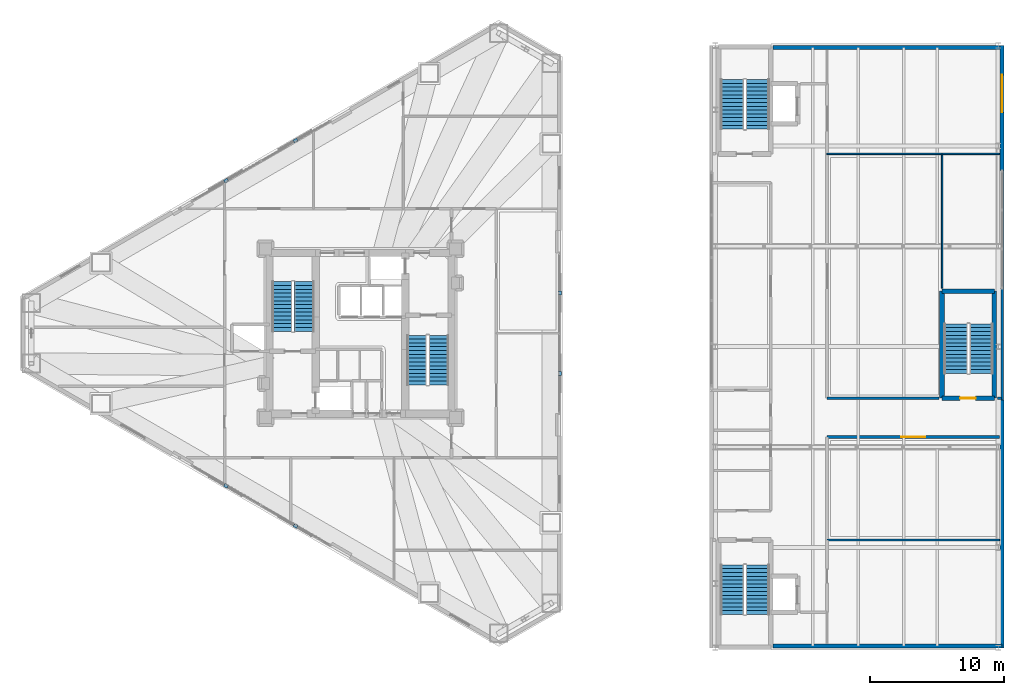
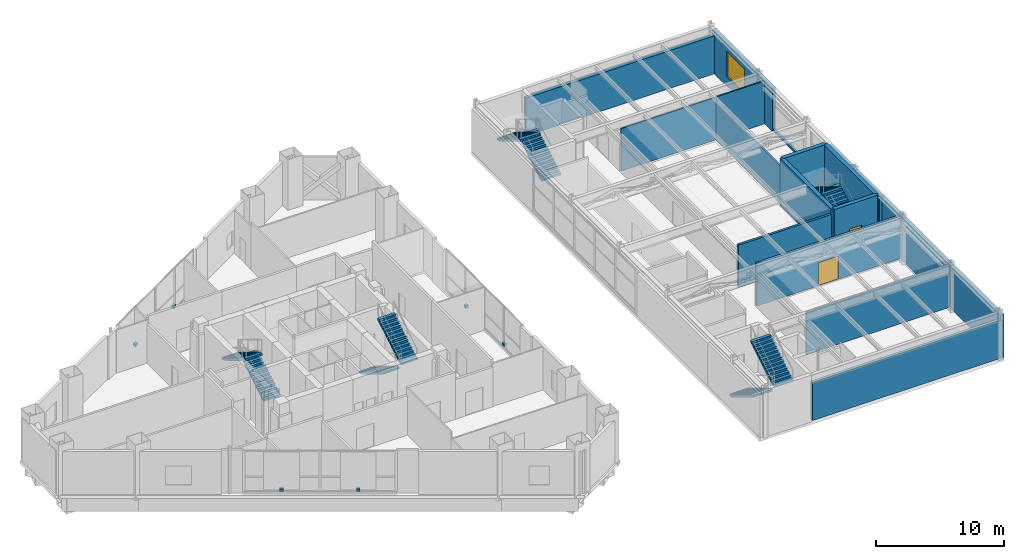
# One storey, part 26 of 29: 17 walls, 10 stair flights, 6 discrete accessories, 2 doors, 1 window, 3 openings, 5 elements without a shape of their own.
"""IFC4 building model written with IfcOpenShell, lengths in metres."""

from ifc_helpers import new_model, si_unit, direction, frame, frame_2d, origin, origin_2d, place, context, subcontext, project, spatial, polyline, rectangle, outline, extrude, material, layer, layer_set, type_object, element, fill, aggregate, save


model = new_model("IFC4")

# Units and contexts
model_context = context("Model", 3, precision=1e-05, world=origin(), true_north=direction((0.0, 1.0)))
body_context = subcontext(model_context, "Body", "Model", "MODEL_VIEW")
ifc_project = project(units=[si_unit("LENGTHUNIT", "METRE"), si_unit("AREAUNIT", "SQUARE_METRE"), si_unit("VOLUMEUNIT", "CUBIC_METRE"), si_unit("PLANEANGLEUNIT", "RADIAN"), si_unit("MASSUNIT", "GRAM", prefix="KILO")], contexts=[model_context])

# Site, building, storey
site_placement = place(None, origin())
site = spatial("IfcSite", under=ifc_project, at=site_placement, CompositionType="ELEMENT")
building_placement = place(site_placement, origin())
building = spatial("IfcBuilding", under=site, at=building_placement, Name="Mersakhor Tower and Convention Hall", CompositionType="ELEMENT")
storey_placement = place(building_placement, frame((0.0, 0.0, 9.60009765625)))
storey = spatial("IfcBuildingStorey", under=building, at=storey_placement, Name="L02", CompositionType="ELEMENT", Elevation=9.60009765625)

# Wall
ifc_material_1 = material(Name="Precast concrete C45/55", Category="concrete")
ifc_layer_1 = layer(ifc_material_1, 0.300048828125)
ifc_layer_set_1 = layer_set([ifc_layer_1], Name="Precast concrete C45/55")
wall_type_1 = type_object("IfcWallType", Name="WL-EXT-300", PredefinedType="SOLIDWALL", material=ifc_layer_set_1)
wall_1_placement = place(storey_placement, frame((59.800048828125, 48.10009765625, 0.0), z_axis=(0.0, 0.0, 1.0), x_axis=(1.0, 0.0, 0.0)))
element("IfcWall", 1, at=wall_1_placement, inside=storey, type_object=wall_type_1, Name="Convention L02 Precast Facade Wall N1", PredefinedType="SOLIDWALL", context=body_context, shape_type="SweptSolid", body=[
    extrude(rectangle(XDim=17.125, YDim=0.300048828125, at=frame_2d((8.5625, 0.0))), origin(), (0.0, 0.0, 1.0), 3.614013671875),
])

# Wall, opening, window
wall_2_placement = place(storey_placement, frame((76.925048828125, 48.25, 0.0), z_axis=(0.0, 0.0, 1.0), x_axis=(0.0, -1.0, 0.0)))
wall_2 = element("IfcWall", 2, at=wall_2_placement, inside=storey, type_object=wall_type_1, Name="Convention L02 Precast Facade Wall E1", PredefinedType="SOLIDWALL", context=body_context, shape_type="SweptSolid", body=[
    extrude(rectangle(XDim=9.35009765625, YDim=0.300048828125, at=frame_2d((4.675048828125, 0.0))), origin(), (0.0, 0.0, 1.0), 4.08984375),
])
opening_1_placement = place(wall_2_placement, frame((2.199951171875, 0.0, 0.89990234375)))
opening_1 = element("IfcOpeningElement", 3, at=opening_1_placement, cuts=wall_2, Name="Opening W-10", PredefinedType="OPENING", context=body_context, shape_type="SweptSolid", body=[
    extrude(rectangle(XDim=2.800048828125, YDim=2.39990234375, at=frame_2d((1.39990234375, 1.199951171875))), frame((0.0, 0.159912109375, 0.0), z_axis=(0.0, -1.0, 0.0), x_axis=(1.0, 0.0, 0.0)), (0.0, 0.0, 1.0), 0.320068359375),
])
ifc_material_2 = material(Name="Dark solar low-E glazed aluminium window", Category="aluminium")
window_type = type_object("IfcWindowType", Name="WN-CNV-280x240", PartitioningType="SINGLE_PANEL", PredefinedType="WINDOW", material=ifc_material_2)
window_placement = place(opening_1_placement, origin())
window = element("IfcWindow", 4, at=window_placement, inside=storey, type_object=window_type, Name="Convention L02 Punched Facade Window E1", OverallHeight=2.39990234375, OverallWidth=2.800048828125, PartitioningType="SINGLE_PANEL", PredefinedType="WINDOW", context=body_context, shape_type="SweptSolid", body=[
    extrude(rectangle(XDim=2.800048828125, YDim=2.39990234375, at=frame_2d((1.39990234375, 1.199951171875))), frame((0.0, 0.030029296875, 0.0), z_axis=(0.0, -1.0, 0.0), x_axis=(1.0, 0.0, 0.0)), (0.0, 0.0, 1.0), 0.06005859375),
])
fill(opening_1, window)

# Walls
wall_3_placement = place(storey_placement, frame((76.925048828125, 21.75, 0.0), z_axis=(0.0, 0.0, 1.0), x_axis=(0.0, -1.0, 0.0)))
element("IfcWall", 5, at=wall_3_placement, inside=storey, type_object=wall_type_1, Name="Convention L02 Precast Facade Wall E2", PredefinedType="SOLIDWALL", context=body_context, shape_type="SweptSolid", body=[
    extrude(rectangle(XDim=18.5, YDim=0.300048828125, at=frame_2d((9.25, 0.0))), origin(), (0.0, 0.0, 1.0), 4.08984375),
])
wall_4_placement = place(storey_placement, frame((76.925048828125, 3.39990234375, 0.0), z_axis=(0.0, 0.0, 1.0), x_axis=(-1.0, 0.0, 0.0)))
element("IfcWall", 6, at=wall_4_placement, inside=storey, type_object=wall_type_1, Name="Convention L02 Precast Facade Wall S1", PredefinedType="SOLIDWALL", context=body_context, shape_type="SweptSolid", body=[
    extrude(rectangle(XDim=17.125, YDim=0.300048828125, at=frame_2d((8.5625, 0.0))), origin(), (0.0, 0.0, 1.0), 3.614013671875),
])
ifc_material_3 = material(Name="Precast concrete C40/50", Category="concrete")
ifc_layer_2 = layer(ifc_material_3, 0.199951171875)
ifc_layer_set_2 = layer_set([ifc_layer_2], Name="Precast concrete C40/50")
wall_type_2 = type_object("IfcWallType", Name="WL-PAR-200", PredefinedType="PARAPET", material=ifc_layer_set_2)
wall_5_placement = place(storey_placement, frame((76.955078125, 30.10009765625, 0.0), z_axis=(0.0, 0.0, 1.0), x_axis=(0.0, -1.0, 0.0)))
element("IfcWall", 7, at=wall_5_placement, inside=storey, type_object=wall_type_2, Name="Convention L02 Stair Core Facade Cladding EC3", PredefinedType="PARAPET", context=body_context, shape_type="SweptSolid", body=[
    extrude(rectangle(XDim=8.35009765625, YDim=0.199951171875, at=frame_2d((4.175048828125, 0.0))), origin(), (0.0, 0.0, 1.0), 4.08984375),
])
wall_6_placement = place(storey_placement, frame((76.925048828125, 38.89990234375, 0.0), z_axis=(0.0, 0.0, 1.0), x_axis=(0.0, -1.0, 0.0)))
element("IfcWall", 8, at=wall_6_placement, inside=storey, type_object=wall_type_2, Name="Convention L02 East Curtain Wall Upstand", PredefinedType="PARAPET", context=body_context, shape_type="SweptSolid", body=[
    extrude(rectangle(XDim=8.7998046875, YDim=0.199951171875, at=frame_2d((4.39990234375, 0.0))), origin(), (0.0, 0.0, 1.0), 0.199951171875),
])
ifc_material_4 = material(Name="Lightweight gypsum partition", Category="other")
ifc_layer_3 = layer(ifc_material_4, 0.10009765625)
ifc_layer_set_3 = layer_set([ifc_layer_3], Name="Lightweight gypsum partition")
wall_type_3 = type_object("IfcWallType", Name="WL-PRT-100", PredefinedType="PARTITIONING", material=ifc_layer_set_3)
wall_7_placement = place(storey_placement, frame((63.85009765625, 40.14990234375, 0.0), z_axis=(0.0, 0.0, 1.0), x_axis=(1.0, 0.0, 0.0)))
element("IfcWall", 9, at=wall_7_placement, inside=storey, type_object=wall_type_3, Name="L02 Interior Partition Wall P-088", PredefinedType="PARTITIONING", context=body_context, shape_type="SweptSolid", body=[
    extrude(rectangle(XDim=8.599853515625, YDim=0.10009765625, at=frame_2d((4.2998046875, 0.0))), origin(), (0.0, 0.0, 1.0), 4.055419921875),
])
ifc_material_5 = material(Name="Gypsum board acoustic partition", Category="other")
ifc_layer_4 = layer(ifc_material_5, 0.125)
ifc_layer_set_4 = layer_set([ifc_layer_4], Name="Gypsum board acoustic partition")
wall_type_4 = type_object("IfcWallType", Name="WL-PRT-125", PredefinedType="PARTITIONING", material=ifc_layer_set_4)
wall_8_placement = place(storey_placement, frame((63.85009765625, 11.300048828125, 0.0), z_axis=(0.0, 0.0, 1.0), x_axis=(1.0, 0.0, 0.0)))
element("IfcWall", 10, at=wall_8_placement, inside=storey, type_object=wall_type_4, Name="L02 Interior Partition Wall P-079", PredefinedType="PARTITIONING", context=body_context, shape_type="SweptSolid", body=[
    extrude(rectangle(XDim=12.90087890625, YDim=0.125, at=frame_2d((6.450439453125, 0.0))), origin(), (0.0, 0.0, 1.0), 4.055419921875),
])
wall_9_placement = place(storey_placement, frame((72.449951171875, 40.14990234375, 0.0), z_axis=(0.0, 0.0, 1.0), x_axis=(0.0, -1.0, 0.0)))
element("IfcWall", 11, at=wall_9_placement, inside=storey, type_object=wall_type_4, Name="L02 Interior Partition Wall P-089", PredefinedType="PARTITIONING", context=body_context, shape_type="SweptSolid", body=[
    extrude(rectangle(XDim=10.02490234375, YDim=0.125, at=frame_2d((5.012451171875, 0.0))), origin(), (0.0, 0.0, 1.0), 3.614013671875),
])
wall_10_placement = place(storey_placement, frame((76.7509765625, 40.14990234375, 0.0), z_axis=(0.0, 0.0, 1.0), x_axis=(-1.0, 0.0, 0.0)))
element("IfcWall", 12, at=wall_10_placement, inside=storey, type_object=wall_type_4, Name="L02 Interior Partition Wall P-091", PredefinedType="PARTITIONING", context=body_context, shape_type="SweptSolid", body=[
    extrude(rectangle(XDim=4.301025390625, YDim=0.125, at=frame_2d((2.150390625, 0.0))), origin(), (0.0, 0.0, 1.0), 4.08984375),
])
ifc_material_6 = material(Name="Acoustic concrete blockwork and gypsum board", Category="masonry")
ifc_layer_5 = layer(ifc_material_6, 0.199951171875)
ifc_layer_set_5 = layer_set([ifc_layer_5], Name="Acoustic concrete blockwork and gypsum board")
wall_type_5 = type_object("IfcWallType", Name="WL-PRT-200", PredefinedType="PARTITIONING", material=ifc_layer_set_5)
wall_11_placement = place(storey_placement, frame((63.85009765625, 21.89990234375, 0.0), z_axis=(0.0, 0.0, 1.0), x_axis=(1.0, 0.0, 0.0)))
element("IfcWall", 13, at=wall_11_placement, inside=storey, type_object=wall_type_5, Name="L02 Interior Partition Wall P-030", PredefinedType="PARTITIONING", context=body_context, shape_type="SweptSolid", body=[
    extrude(rectangle(XDim=8.375, YDim=0.199951171875, at=frame_2d((4.1875, 0.0))), origin(), (0.0, 0.0, 1.0), 4.055419921875),
])
wall_12_placement = place(storey_placement, frame((76.574951171875, 21.89990234375, 0.0), z_axis=(0.0, 0.0, 1.0), x_axis=(1.0, 0.0, 0.0)))
element("IfcWall", 14, at=wall_12_placement, inside=storey, type_object=wall_type_5, Name="L02 Interior Partition Wall P-031", PredefinedType="PARTITIONING", context=body_context, shape_type="SweptSolid", body=[
    extrude(rectangle(XDim=0.320068359375, YDim=0.199951171875, at=frame_2d((0.16015625, 0.0))), origin(), (0.0, 0.0, 1.0), 4.08984375),
])

# Wall, opening, door
wall_13_placement = place(storey_placement, frame((76.7509765625, 19.0, 0.0), z_axis=(0.0, 0.0, 1.0), x_axis=(-1.0, 0.0, 0.0)))
wall_13 = element("IfcWall", 15, at=wall_13_placement, inside=storey, type_object=wall_type_5, Name="L02 Interior Partition Wall P-032", PredefinedType="PARTITIONING", context=body_context, shape_type="SweptSolid", body=[
    extrude(rectangle(XDim=12.90087890625, YDim=0.199951171875, at=frame_2d((6.450439453125, 0.0))), origin(), (0.0, 0.0, 1.0), 4.055419921875),
])
opening_2_placement = place(wall_13_placement, frame((5.550537109375, 0.0, 0.0)))
opening_2 = element("IfcOpeningElement", 16, at=opening_2_placement, cuts=wall_13, Name="Opening HD-01", PredefinedType="OPENING", context=body_context, shape_type="SweptSolid", body=[
    extrude(rectangle(XDim=1.800048828125, YDim=2.199951171875, at=frame_2d((0.89990234375, 1.10009765625))), frame((0.0, 0.10986328125, 0.0), z_axis=(0.0, -1.0, 0.0), x_axis=(1.0, 0.0, 0.0)), (0.0, 0.0, 1.0), 0.219970703125),
])
ifc_material_7 = material(Name="Fire-rated hardwood leaf and painted steel frame", Category="steel")
door_type_1 = type_object("IfcDoorType", Name="DR-INT-HALL-180x220", OperationType="NOTDEFINED", PredefinedType="DOOR", material=ifc_material_7)
door_1_placement = place(opening_2_placement, origin())
door_1 = element("IfcDoor", 17, at=door_1_placement, inside=storey, type_object=door_type_1, Name="L02 Convention Hall Concourse Corridor to South Conference Lecture Hall Door", OperationType="DOUBLE_DOOR_SINGLE_SWING", OverallHeight=2.199951171875, OverallWidth=1.800048828125, PredefinedType="DOOR", context=body_context, shape_type="SweptSolid", body=[
    extrude(rectangle(XDim=1.800048828125, YDim=2.199951171875, at=frame_2d((0.89990234375, 1.10009765625))), frame((0.0, 0.02490234375, 0.0), z_axis=(0.0, -1.0, 0.0), x_axis=(1.0, 0.0, 0.0)), (0.0, 0.0, 1.0), 0.050048828125),
])
fill(opening_2, door_1)

# Walls
ifc_material_8 = material(Name="Concrete C50/60", Category="concrete")
ifc_layer_6 = layer(ifc_material_8, 0.35009765625)
ifc_layer_set_6 = layer_set([ifc_layer_6], Name="Concrete C50/60")
wall_type_6 = type_object("IfcWallType", Name="WL-SHR-350", PredefinedType="SHEAR", material=ifc_layer_set_6)
for number, where, z_axis, x_axis, name in (
    (18, (76.35009765625, 29.89990234375, 0.0), (0.0, 0.0, 1.0), (0.0, -1.0, 0.0), "L02 CHST3 East Shear Wall"),
    (19, (72.449951171875, 21.89990234375, 0.0), (0.0, 0.0, 1.0), (0.0, 1.0, 0.0), "L02 CHST3 West Shear Wall"),
):
    element("IfcWall", number, at=place(storey_placement, frame(where, z_axis=z_axis, x_axis=x_axis)), inside=storey, type_object=wall_type_6, Name=name, PredefinedType="SHEAR", context=body_context, shape_type="SweptSolid", body=[
        extrude(rectangle(XDim=8.0, YDim=0.35009765625, at=frame_2d((4.0, 0.0))), origin(), (0.0, 0.0, 1.0), 4.47998046875),
    ])
wall_14_placement = place(storey_placement, frame((72.449951171875, 29.89990234375, 0.0), z_axis=(0.0, 0.0, 1.0), x_axis=(1.0, 0.0, 0.0)))
element("IfcWall", 20, at=wall_14_placement, inside=storey, type_object=wall_type_6, Name="L02 CHST3 North Shear Wall", PredefinedType="SHEAR", context=body_context, shape_type="SweptSolid", body=[
    extrude(rectangle(XDim=3.900146484375, YDim=0.35009765625, at=frame_2d((1.9501953125, 0.0))), origin(), (0.0, 0.0, 1.0), 4.47998046875),
])

# Wall, opening, door
wall_15_placement = place(storey_placement, frame((72.449951171875, 21.89990234375, 0.0), z_axis=(0.0, 0.0, 1.0), x_axis=(1.0, 0.0, 0.0)))
wall_15 = element("IfcWall", 21, at=wall_15_placement, inside=storey, type_object=wall_type_6, Name="L02 CHST3 South Shear Wall", PredefinedType="SHEAR", context=body_context, shape_type="SweptSolid", body=[
    extrude(rectangle(XDim=3.900146484375, YDim=0.35009765625, at=frame_2d((1.9501953125, 0.0))), origin(), (0.0, 0.0, 1.0), 4.47998046875),
])
opening_3_placement = place(wall_15_placement, frame((1.35009765625, 0.0, 0.0)))
opening_3 = element("IfcOpeningElement", 22, at=opening_3_placement, cuts=wall_15, Name="Opening SD-01", PredefinedType="OPENING", context=body_context, shape_type="SweptSolid", body=[
    extrude(rectangle(XDim=1.14990234375, YDim=2.14990234375, at=frame_2d((0.574951171875, 1.074951171875))), frame((0.0, 0.18505859375, 0.0), z_axis=(0.0, -1.0, 0.0), x_axis=(1.0, 0.0, 0.0)), (0.0, 0.0, 1.0), 0.3701171875),
])
ifc_material_9 = material(Name="Fire-rated hardwood leaf and painted steel frame", Category="steel")
door_type_2 = type_object("IfcDoorType", Name="DR-INT-STAIR-115x215", OperationType="NOTDEFINED", PredefinedType="DOOR", material=ifc_material_9)
door_2_placement = place(opening_3_placement, origin())
door_2 = element("IfcDoor", 23, at=door_2_placement, inside=storey, type_object=door_type_2, Name="L02 Convention Stair CH-ST3 Door", OperationType="SINGLE_SWING_LEFT", OverallHeight=2.14990234375, OverallWidth=1.14990234375, PredefinedType="DOOR", context=body_context, shape_type="SweptSolid", body=[
    extrude(rectangle(XDim=1.14990234375, YDim=2.14990234375, at=frame_2d((0.574951171875, 1.074951171875))), frame((0.0, 0.02490234375, 0.0), z_axis=(0.0, -1.0, 0.0), x_axis=(1.0, 0.0, 0.0)), (0.0, 0.0, 1.0), 0.050048828125),
])
fill(opening_3, door_2)

# Stair, stair flights
ifc_material_10 = material(Name="Concrete C45/55", Category="concrete")
stair_type_1 = type_object("IfcStairType", Name="ST-CNV-28R", PredefinedType="HALF_TURN_STAIR", material=ifc_material_10)
stair_1_placement = place(storey_placement, origin())
stair_1 = element("IfcStair", 24, at=stair_1_placement, inside=storey, type_object=stair_type_1, Name="L02 Convention Hall Exit Stair CH-ST1", PredefinedType="HALF_TURN_STAIR")
ifc_material_11 = material(Name="Concrete C45/55", Category="concrete")
stair_flight_type_1 = type_object("IfcStairFlightType", Name="SFL-CNV-28R", PredefinedType="STRAIGHT", material=ifc_material_11)
stair_flight_1_placement = place(storey_placement, frame((56.77490234375, 9.449951171875, 0.0), z_axis=(0.0, 0.0, 1.0), x_axis=(0.0, -1.0, 0.0)))
stair_flight_1 = element("IfcStairFlight", 25, at=stair_flight_1_placement, type_object=stair_flight_type_1, Name="CH-ST1 flight 1", NumberOfRisers=14, NumberOfTreads=13, PredefinedType="STRAIGHT", RiserHeight=0.171428571, TreadLength=0.285, context=body_context, shape_type="SweptSolid", body=[
    extrude(outline(polyline([(0.0, 0.0), (0.0, 0.17138671875), (0.284912109375, 0.17138671875), (0.284912109375, 0.3427734375), (0.570068359375, 0.3427734375), (0.570068359375, 0.514404296875), (0.85498046875, 0.514404296875), (0.85498046875, 0.685791015625), (1.139892578125, 0.685791015625), (1.139892578125, 0.857177734375), (1.425048828125, 0.857177734375), (1.425048828125, 1.028564453125), (1.7099609375, 1.028564453125), (1.7099609375, 1.199951171875), (1.9951171875, 1.199951171875), (1.9951171875, 1.371337890625), (2.280029296875, 1.371337890625), (2.280029296875, 1.54296875), (2.56494140625, 1.54296875), (2.56494140625, 1.71435546875), (2.85009765625, 1.71435546875), (2.85009765625, 1.8857421875), (3.135009765625, 1.8857421875), (3.135009765625, 2.05712890625), (3.419921875, 2.05712890625), (3.419921875, 2.228515625), (3.705078125, 2.228515625), (3.705078125, 2.39990234375), (3.705078125, 2.0537109375), (0.290771484375, 0.0), (0.0, 0.0)])), frame((0.0, 0.875, 0.0), z_axis=(0.0, -1.0, 0.0), x_axis=(1.0, 0.0, 0.0)), (0.0, 0.0, 1.0), 1.75),
])
stair_flight_2_placement = place(storey_placement, frame((58.675048828125, 5.7451171875, 2.39990234375), z_axis=(0.0, 0.0, 1.0), x_axis=(0.0, 1.0, 0.0)))
stair_flight_2 = element("IfcStairFlight", 26, at=stair_flight_2_placement, type_object=stair_flight_type_1, Name="CH-ST1 flight 2", NumberOfRisers=14, NumberOfTreads=13, PredefinedType="STRAIGHT", RiserHeight=0.171428571, TreadLength=0.285, context=body_context, shape_type="SweptSolid", body=[
    extrude(outline(polyline([(0.0, 0.0), (0.0, 0.17138671875), (0.284912109375, 0.17138671875), (0.284912109375, 0.3427734375), (0.570068359375, 0.3427734375), (0.570068359375, 0.514404296875), (0.85498046875, 0.514404296875), (0.85498046875, 0.685791015625), (1.139892578125, 0.685791015625), (1.139892578125, 0.857177734375), (1.425048828125, 0.857177734375), (1.425048828125, 1.028564453125), (1.7099609375, 1.028564453125), (1.7099609375, 1.199951171875), (1.9951171875, 1.199951171875), (1.9951171875, 1.371337890625), (2.280029296875, 1.371337890625), (2.280029296875, 1.54296875), (2.56494140625, 1.54296875), (2.56494140625, 1.71435546875), (2.85009765625, 1.71435546875), (2.85009765625, 1.8857421875), (3.135009765625, 1.8857421875), (3.135009765625, 2.05712890625), (3.419921875, 2.05712890625), (3.419921875, 2.228515625), (3.705078125, 2.228515625), (3.705078125, 2.39990234375), (3.705078125, 2.0537109375), (0.290771484375, 0.0), (0.0, 0.0)])), frame((0.0, 0.875, 0.0), z_axis=(0.0, -1.0, 0.0), x_axis=(1.0, 0.0, 0.0)), (0.0, 0.0, 1.0), 1.75),
])
aggregate(stair_1, [stair_flight_1, stair_flight_2])

stair_2_placement = place(storey_placement, origin())
stair_2 = element("IfcStair", 27, at=stair_2_placement, inside=storey, type_object=stair_type_1, Name="L02 Convention Hall Exit Stair CH-ST2", PredefinedType="HALF_TURN_STAIR")
stair_flight_3_placement = place(storey_placement, frame((58.675048828125, 42.0, 0.0), z_axis=(0.0, 0.0, 1.0), x_axis=(0.0, 1.0, 0.0)))
stair_flight_3 = element("IfcStairFlight", 28, at=stair_flight_3_placement, type_object=stair_flight_type_1, Name="CH-ST2 flight 1", NumberOfRisers=14, NumberOfTreads=13, PredefinedType="STRAIGHT", RiserHeight=0.171428571, TreadLength=0.285, context=body_context, shape_type="SweptSolid", body=[
    extrude(outline(polyline([(0.0, 0.0), (0.0, 0.17138671875), (0.284912109375, 0.17138671875), (0.284912109375, 0.3427734375), (0.570068359375, 0.3427734375), (0.570068359375, 0.514404296875), (0.85498046875, 0.514404296875), (0.85498046875, 0.685791015625), (1.139892578125, 0.685791015625), (1.139892578125, 0.857177734375), (1.425048828125, 0.857177734375), (1.425048828125, 1.028564453125), (1.7099609375, 1.028564453125), (1.7099609375, 1.199951171875), (1.9951171875, 1.199951171875), (1.9951171875, 1.371337890625), (2.280029296875, 1.371337890625), (2.280029296875, 1.54296875), (2.56494140625, 1.54296875), (2.56494140625, 1.71435546875), (2.85009765625, 1.71435546875), (2.85009765625, 1.8857421875), (3.135009765625, 1.8857421875), (3.135009765625, 2.05712890625), (3.419921875, 2.05712890625), (3.419921875, 2.228515625), (3.705078125, 2.228515625), (3.705078125, 2.39990234375), (3.705078125, 2.0537109375), (0.290771484375, 0.0), (0.0, 0.0)])), frame((0.0, 0.875, 0.0), z_axis=(0.0, -1.0, 0.0), x_axis=(1.0, 0.0, 0.0)), (0.0, 0.0, 1.0), 1.75),
])
stair_flight_4_placement = place(storey_placement, frame((56.77490234375, 45.705078125, 2.39990234375), z_axis=(0.0, 0.0, 1.0), x_axis=(0.0, -1.0, 0.0)))
stair_flight_4 = element("IfcStairFlight", 29, at=stair_flight_4_placement, type_object=stair_flight_type_1, Name="CH-ST2 flight 2", NumberOfRisers=14, NumberOfTreads=13, PredefinedType="STRAIGHT", RiserHeight=0.171428571, TreadLength=0.285, context=body_context, shape_type="SweptSolid", body=[
    extrude(outline(polyline([(0.0, 0.0), (0.0, 0.17138671875), (0.284912109375, 0.17138671875), (0.284912109375, 0.3427734375), (0.570068359375, 0.3427734375), (0.570068359375, 0.514404296875), (0.85498046875, 0.514404296875), (0.85498046875, 0.685791015625), (1.139892578125, 0.685791015625), (1.139892578125, 0.857177734375), (1.425048828125, 0.857177734375), (1.425048828125, 1.028564453125), (1.7099609375, 1.028564453125), (1.7099609375, 1.199951171875), (1.9951171875, 1.199951171875), (1.9951171875, 1.371337890625), (2.280029296875, 1.371337890625), (2.280029296875, 1.54296875), (2.56494140625, 1.54296875), (2.56494140625, 1.71435546875), (2.85009765625, 1.71435546875), (2.85009765625, 1.8857421875), (3.135009765625, 1.8857421875), (3.135009765625, 2.05712890625), (3.419921875, 2.05712890625), (3.419921875, 2.228515625), (3.705078125, 2.228515625), (3.705078125, 2.39990234375), (3.705078125, 2.0537109375), (0.290771484375, 0.0), (0.0, 0.0)])), frame((0.0, 0.875, 0.0), z_axis=(0.0, -1.0, 0.0), x_axis=(1.0, 0.0, 0.0)), (0.0, 0.0, 1.0), 1.75),
])
aggregate(stair_2, [stair_flight_3, stair_flight_4])

stair_3_placement = place(storey_placement, origin())
stair_3 = element("IfcStair", 30, at=stair_3_placement, inside=storey, type_object=stair_type_1, Name="L02 Convention Hall Exit Stair CH-ST3", PredefinedType="HALF_TURN_STAIR")
stair_flight_5_placement = place(storey_placement, frame((75.375, 23.75, 0.0), z_axis=(0.0, 0.0, 1.0), x_axis=(0.0, 1.0, 0.0)))
stair_flight_5 = element("IfcStairFlight", 31, at=stair_flight_5_placement, type_object=stair_flight_type_1, Name="CH-ST3 flight 1", NumberOfRisers=14, NumberOfTreads=13, PredefinedType="STRAIGHT", RiserHeight=0.171428571, TreadLength=0.285, context=body_context, shape_type="SweptSolid", body=[
    extrude(outline(polyline([(0.0, 0.0), (0.0, 0.17138671875), (0.284912109375, 0.17138671875), (0.284912109375, 0.3427734375), (0.570068359375, 0.3427734375), (0.570068359375, 0.514404296875), (0.85498046875, 0.514404296875), (0.85498046875, 0.685791015625), (1.139892578125, 0.685791015625), (1.139892578125, 0.857177734375), (1.425048828125, 0.857177734375), (1.425048828125, 1.028564453125), (1.7099609375, 1.028564453125), (1.7099609375, 1.199951171875), (1.9951171875, 1.199951171875), (1.9951171875, 1.371337890625), (2.280029296875, 1.371337890625), (2.280029296875, 1.54296875), (2.56494140625, 1.54296875), (2.56494140625, 1.71435546875), (2.85009765625, 1.71435546875), (2.85009765625, 1.8857421875), (3.135009765625, 1.8857421875), (3.135009765625, 2.05712890625), (3.419921875, 2.05712890625), (3.419921875, 2.228515625), (3.705078125, 2.228515625), (3.705078125, 2.39990234375), (3.705078125, 2.0537109375), (0.290771484375, 0.0), (0.0, 0.0)])), frame((0.0, 0.875, 0.0), z_axis=(0.0, -1.0, 0.0), x_axis=(1.0, 0.0, 0.0)), (0.0, 0.0, 1.0), 1.75),
])
stair_flight_6_placement = place(storey_placement, frame((73.47509765625, 27.455078125, 2.39990234375), z_axis=(0.0, 0.0, 1.0), x_axis=(0.0, -1.0, 0.0)))
stair_flight_6 = element("IfcStairFlight", 32, at=stair_flight_6_placement, type_object=stair_flight_type_1, Name="CH-ST3 flight 2", NumberOfRisers=14, NumberOfTreads=13, PredefinedType="STRAIGHT", RiserHeight=0.171428571, TreadLength=0.285, context=body_context, shape_type="SweptSolid", body=[
    extrude(outline(polyline([(0.0, 0.0), (0.0, 0.17138671875), (0.284912109375, 0.17138671875), (0.284912109375, 0.3427734375), (0.570068359375, 0.3427734375), (0.570068359375, 0.514404296875), (0.85498046875, 0.514404296875), (0.85498046875, 0.685791015625), (1.139892578125, 0.685791015625), (1.139892578125, 0.857177734375), (1.425048828125, 0.857177734375), (1.425048828125, 1.028564453125), (1.7099609375, 1.028564453125), (1.7099609375, 1.199951171875), (1.9951171875, 1.199951171875), (1.9951171875, 1.371337890625), (2.280029296875, 1.371337890625), (2.280029296875, 1.54296875), (2.56494140625, 1.54296875), (2.56494140625, 1.71435546875), (2.85009765625, 1.71435546875), (2.85009765625, 1.8857421875), (3.135009765625, 1.8857421875), (3.135009765625, 2.05712890625), (3.419921875, 2.05712890625), (3.419921875, 2.228515625), (3.705078125, 2.228515625), (3.705078125, 2.39990234375), (3.705078125, 2.0537109375), (0.290771484375, 0.0), (0.0, 0.0)])), frame((0.0, 0.875, 0.0), z_axis=(0.0, -1.0, 0.0), x_axis=(1.0, 0.0, 0.0)), (0.0, 0.0, 1.0), 1.75),
])
aggregate(stair_3, [stair_flight_5, stair_flight_6])

ifc_material_12 = material(Name="Concrete C45/55", Category="concrete")
stair_type_2 = type_object("IfcStairType", Name="ST-TWR-28R", PredefinedType="HALF_TURN_STAIR", material=ifc_material_12)
stair_4_placement = place(storey_placement, origin())
stair_4 = element("IfcStair", 33, at=stair_4_placement, inside=storey, type_object=stair_type_2, Name="L02 Tower Protected Exit Stair ST-1", PredefinedType="HALF_TURN_STAIR")
ifc_material_13 = material(Name="Concrete C45/55", Category="concrete")
stair_flight_type_2 = type_object("IfcStairFlightType", Name="SFL-TWR-28R", PredefinedType="STRAIGHT", material=ifc_material_13)
stair_flight_7_placement = place(storey_placement, frame((24.800048828125, 26.89990234375, 0.0), z_axis=(0.0, 0.0, 1.0), x_axis=(0.0, 1.0, 0.0)))
stair_flight_7 = element("IfcStairFlight", 34, at=stair_flight_7_placement, type_object=stair_flight_type_2, Name="ST-1 flight 1", NumberOfRisers=14, NumberOfTreads=13, PredefinedType="STRAIGHT", RiserHeight=0.171428571, TreadLength=0.285, context=body_context, shape_type="SweptSolid", body=[
    extrude(outline(polyline([(0.0, 0.0), (0.0, 0.17138671875), (0.284912109375, 0.17138671875), (0.284912109375, 0.3427734375), (0.570068359375, 0.3427734375), (0.570068359375, 0.514404296875), (0.85498046875, 0.514404296875), (0.85498046875, 0.685791015625), (1.139892578125, 0.685791015625), (1.139892578125, 0.857177734375), (1.425048828125, 0.857177734375), (1.425048828125, 1.028564453125), (1.7099609375, 1.028564453125), (1.7099609375, 1.199951171875), (1.9951171875, 1.199951171875), (1.9951171875, 1.371337890625), (2.280029296875, 1.371337890625), (2.280029296875, 1.54296875), (2.56494140625, 1.54296875), (2.56494140625, 1.71435546875), (2.85009765625, 1.71435546875), (2.85009765625, 1.8857421875), (3.135009765625, 1.8857421875), (3.135009765625, 2.05712890625), (3.419921875, 2.05712890625), (3.419921875, 2.228515625), (3.705078125, 2.228515625), (3.705078125, 2.39990234375), (3.705078125, 2.0537109375), (0.290771484375, 0.0), (0.0, 0.0)])), frame((0.0, 0.75, 0.0), z_axis=(0.0, -1.0, 0.0), x_axis=(1.0, 0.0, 0.0)), (0.0, 0.0, 1.0), 1.5),
])
stair_flight_8_placement = place(storey_placement, frame((23.14990234375, 30.60498046875, 2.39990234375), z_axis=(0.0, 0.0, 1.0), x_axis=(0.0, -1.0, 0.0)))
stair_flight_8 = element("IfcStairFlight", 35, at=stair_flight_8_placement, type_object=stair_flight_type_2, Name="ST-1 flight 2", NumberOfRisers=14, NumberOfTreads=13, PredefinedType="STRAIGHT", RiserHeight=0.171428571, TreadLength=0.285, context=body_context, shape_type="SweptSolid", body=[
    extrude(outline(polyline([(0.0, 0.0), (0.0, 0.17138671875), (0.284912109375, 0.17138671875), (0.284912109375, 0.3427734375), (0.570068359375, 0.3427734375), (0.570068359375, 0.514404296875), (0.85498046875, 0.514404296875), (0.85498046875, 0.685791015625), (1.139892578125, 0.685791015625), (1.139892578125, 0.857177734375), (1.425048828125, 0.857177734375), (1.425048828125, 1.028564453125), (1.7099609375, 1.028564453125), (1.7099609375, 1.199951171875), (1.9951171875, 1.199951171875), (1.9951171875, 1.371337890625), (2.280029296875, 1.371337890625), (2.280029296875, 1.54296875), (2.56494140625, 1.54296875), (2.56494140625, 1.71435546875), (2.85009765625, 1.71435546875), (2.85009765625, 1.8857421875), (3.135009765625, 1.8857421875), (3.135009765625, 2.05712890625), (3.419921875, 2.05712890625), (3.419921875, 2.228515625), (3.705078125, 2.228515625), (3.705078125, 2.39990234375), (3.705078125, 2.0537109375), (0.290771484375, 0.0), (0.0, 0.0)])), frame((0.0, 0.75, 0.0), z_axis=(0.0, -1.0, 0.0), x_axis=(1.0, 0.0, 0.0)), (0.0, 0.0, 1.0), 1.5),
])
aggregate(stair_4, [stair_flight_7, stair_flight_8])

stair_5_placement = place(storey_placement, origin())
stair_5 = element("IfcStair", 36, at=stair_5_placement, inside=storey, type_object=stair_type_2, Name="L02 Tower Protected Exit Stair ST-2", PredefinedType="HALF_TURN_STAIR")
stair_flight_9_placement = place(storey_placement, frame((33.199951171875, 26.60009765625, 0.0), z_axis=(0.0, 0.0, 1.0), x_axis=(0.0, -1.0, 0.0)))
stair_flight_9 = element("IfcStairFlight", 37, at=stair_flight_9_placement, type_object=stair_flight_type_2, Name="ST-2 flight 1", NumberOfRisers=14, NumberOfTreads=13, PredefinedType="STRAIGHT", RiserHeight=0.171428571, TreadLength=0.285, context=body_context, shape_type="SweptSolid", body=[
    extrude(outline(polyline([(0.0, 0.0), (0.0, 0.17138671875), (0.284912109375, 0.17138671875), (0.284912109375, 0.3427734375), (0.570068359375, 0.3427734375), (0.570068359375, 0.514404296875), (0.85498046875, 0.514404296875), (0.85498046875, 0.685791015625), (1.139892578125, 0.685791015625), (1.139892578125, 0.857177734375), (1.425048828125, 0.857177734375), (1.425048828125, 1.028564453125), (1.7099609375, 1.028564453125), (1.7099609375, 1.199951171875), (1.9951171875, 1.199951171875), (1.9951171875, 1.371337890625), (2.280029296875, 1.371337890625), (2.280029296875, 1.54296875), (2.56494140625, 1.54296875), (2.56494140625, 1.71435546875), (2.85009765625, 1.71435546875), (2.85009765625, 1.8857421875), (3.135009765625, 1.8857421875), (3.135009765625, 2.05712890625), (3.419921875, 2.05712890625), (3.419921875, 2.228515625), (3.705078125, 2.228515625), (3.705078125, 2.39990234375), (3.705078125, 2.0537109375), (0.290771484375, 0.0), (0.0, 0.0)])), frame((0.0, 0.75, 0.0), z_axis=(0.0, -1.0, 0.0), x_axis=(1.0, 0.0, 0.0)), (0.0, 0.0, 1.0), 1.5),
])
stair_flight_10_placement = place(storey_placement, frame((34.85009765625, 22.89501953125, 2.39990234375), z_axis=(0.0, 0.0, 1.0), x_axis=(0.0, 1.0, 0.0)))
stair_flight_10 = element("IfcStairFlight", 38, at=stair_flight_10_placement, type_object=stair_flight_type_2, Name="ST-2 flight 2", NumberOfRisers=14, NumberOfTreads=13, PredefinedType="STRAIGHT", RiserHeight=0.171428571, TreadLength=0.285, context=body_context, shape_type="SweptSolid", body=[
    extrude(outline(polyline([(0.0, 0.0), (0.0, 0.17138671875), (0.284912109375, 0.17138671875), (0.284912109375, 0.3427734375), (0.570068359375, 0.3427734375), (0.570068359375, 0.514404296875), (0.85498046875, 0.514404296875), (0.85498046875, 0.685791015625), (1.139892578125, 0.685791015625), (1.139892578125, 0.857177734375), (1.425048828125, 0.857177734375), (1.425048828125, 1.028564453125), (1.7099609375, 1.028564453125), (1.7099609375, 1.199951171875), (1.9951171875, 1.199951171875), (1.9951171875, 1.371337890625), (2.280029296875, 1.371337890625), (2.280029296875, 1.54296875), (2.56494140625, 1.54296875), (2.56494140625, 1.71435546875), (2.85009765625, 1.71435546875), (2.85009765625, 1.8857421875), (3.135009765625, 1.8857421875), (3.135009765625, 2.05712890625), (3.419921875, 2.05712890625), (3.419921875, 2.228515625), (3.705078125, 2.228515625), (3.705078125, 2.39990234375), (3.705078125, 2.0537109375), (0.290771484375, 0.0), (0.0, 0.0)])), frame((0.0, 0.75, 0.0), z_axis=(0.0, -1.0, 0.0), x_axis=(1.0, 0.0, 0.0)), (0.0, 0.0, 1.0), 1.5),
])
aggregate(stair_5, [stair_flight_9, stair_flight_10])

# Discrete accessories
ifc_material_14 = material(Name="Galvanised steel bracket", Category="steel")
ifc_layer_7 = layer(ifc_material_14, 0.02001953125)
ifc_layer_set_7 = layer_set([ifc_layer_7], Name="Galvanised steel bracket")
discrete_accessory_type = type_object("IfcDiscreteAccessoryType", Name="ACC-BRK-STL", PredefinedType="BRACKET", material=ifc_layer_set_7)
for number, where, z_axis, x_axis, name in (
    (39, (18.957763671875, 38.156982421875, 0.2900390625), (0.0, 0.0, 1.0), (0.866025403784, 0.5, 0.0), "L02 Solar Screen Outrigger Bracket BRK-1-1"),
    (40, (24.142333984375, 41.150390625, 0.2900390625), (0.0, 0.0, 1.0), (0.866025403784, 0.5, 0.0), "L02 Solar Screen Outrigger Bracket BRK-1-2"),
    (41, (43.89990234375, 29.743408203125, 0.2900390625), (0.0, 0.0, 1.0), (0.0, -1.0, 0.0), "L02 Solar Screen Outrigger Bracket BRK-2-1"),
    (42, (43.89990234375, 23.756591796875, 0.2900390625), (0.0, 0.0, 1.0), (0.0, -1.0, 0.0), "L02 Solar Screen Outrigger Bracket BRK-2-2"),
    (43, (24.14208984375, 12.349609375, 0.2900390625), (0.0, 0.0, 1.0), (-0.866025403784, 0.5, 0.0), "L02 Solar Screen Outrigger Bracket BRK-3-1"),
    (44, (18.957763671875, 15.3427734375, 0.2900390625), (0.0, 0.0, 1.0), (-0.866025403784, 0.5, 0.0), "L02 Solar Screen Outrigger Bracket BRK-3-2"),
):
    element("IfcDiscreteAccessory", number, at=place(storey_placement, frame(where, z_axis=z_axis, x_axis=x_axis)), inside=storey, type_object=discrete_accessory_type, Name=name, PredefinedType="BRACKET", context=body_context, shape_type="SweptSolid", body=[
        extrude(rectangle(XDim=0.300048828125, YDim=0.239990234375, at=origin_2d()), origin(), (0.0, 0.0, 1.0), 0.260009765625),
    ])

save(model, "model.ifc")
